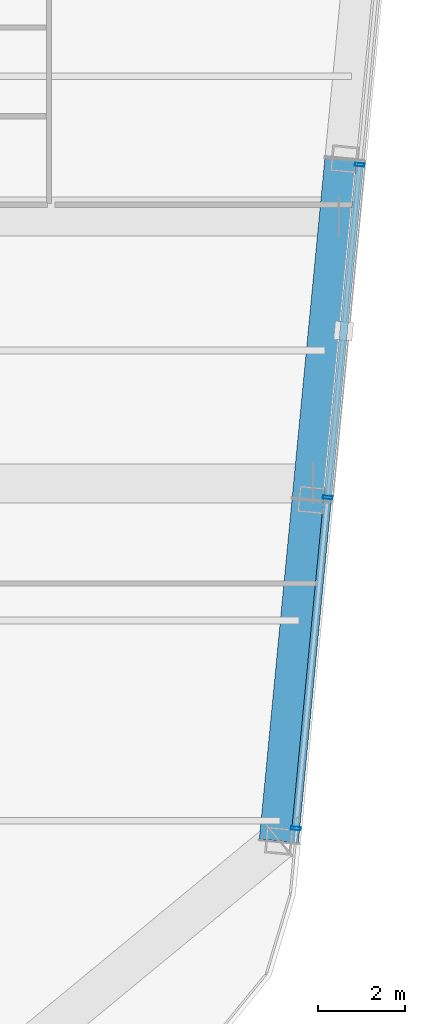
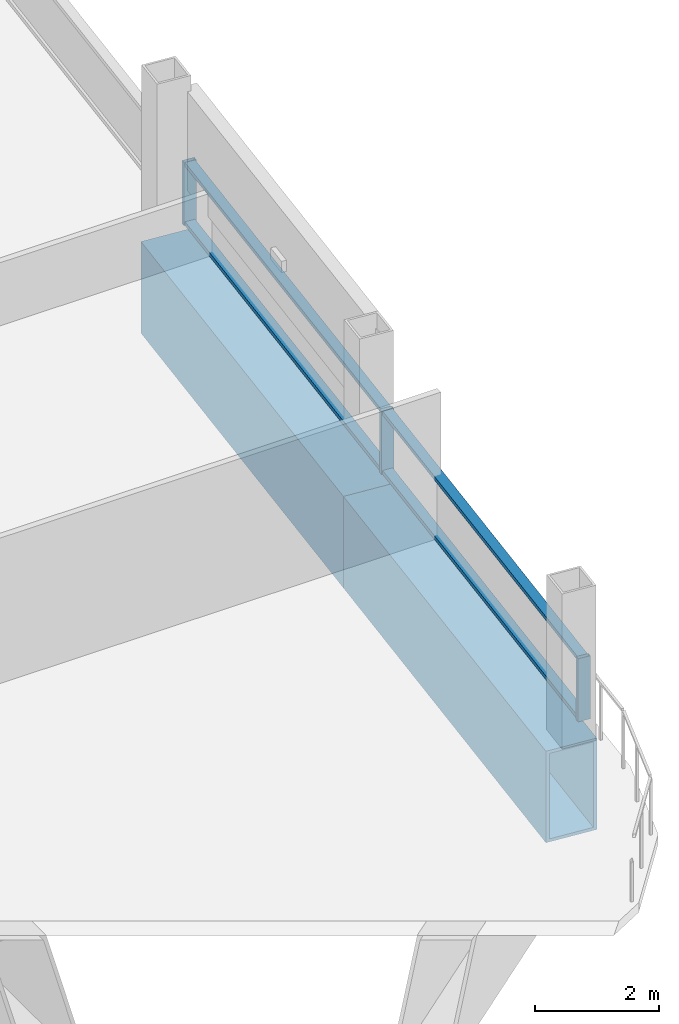
# One storey, part 10 of 21: 7 members, 2 beams, 1 element without a shape of its own.
"""IFC4 building model written with IfcOpenShell, lengths in metres."""

from ifc_helpers import new_model, si_unit, direction, frame, origin, origin_2d, place, context, subcontext, project, spatial, hollow_rectangle, extrude, material, layer, layer_set, material_profile, profile_set, type_object, element, aggregate, save


model = new_model("IFC4")

# Units and contexts
model_context = context("Model", 3, precision=1e-05, world=origin(), true_north=direction((0.0, 1.0)))
body_context = subcontext(model_context, "Body", "Model", "MODEL_VIEW")
ifc_project = project(units=[si_unit("LENGTHUNIT", "METRE"), si_unit("AREAUNIT", "SQUARE_METRE"), si_unit("VOLUMEUNIT", "CUBIC_METRE"), si_unit("PLANEANGLEUNIT", "RADIAN"), si_unit("MASSUNIT", "GRAM", prefix="KILO")], contexts=[model_context])

# Site, building, storey
site_placement = place(None, origin())
site = spatial("IfcSite", under=ifc_project, at=site_placement, CompositionType="ELEMENT")
building_placement = place(site_placement, origin())
building = spatial("IfcBuilding", under=site, at=building_placement, Name="Qhalaya Broadcast Tower", CompositionType="ELEMENT")
storey_placement = place(building_placement, frame((0.0, 0.0, 270.300048828125)))
storey = spatial("IfcBuildingStorey", under=building, at=storey_placement, Name="L80", CompositionType="ELEMENT", Elevation=270.300048828125)

# Beams
ifc_material_1 = material(Name="Structural Steel ASTM A572 Grade 50", Category="steel")
ifc_material_profile_1 = material_profile(ifc_material_1, hollow_rectangle(XDim=0.89990234375, YDim=1.800048828125, WallThickness=0.06005859375, at=origin_2d()), Name="BOX 900x1800x60")
ifc_profile_set_1 = profile_set([ifc_material_profile_1], Name="Structural Steel ASTM A572 Grade 50")
beam_type = type_object("IfcBeamType", Name="Block Cantilever Transfer Box Girder TG1", PredefinedType="USERDEFINED", material=ifc_profile_set_1)
beam_1_placement = place(storey_placement, frame((19.82861328125, -16.962890625, -1.090087890625), z_axis=(0.095837184179, 0.995397023367, 0.0), x_axis=(-0.995397023367, 0.095837184179, 0.0)))
element("IfcBeam", 1, at=beam_1_placement, inside=storey, type_object=beam_type, Name="L80 TG1 L80-SPR-05", ObjectType="GIRDER", PredefinedType="USERDEFINED", context=body_context, shape_type="SweptSolid", body=[
    extrude(hollow_rectangle(XDim=0.89990234375, YDim=1.800048828125, WallThickness=0.06005859375, at=origin_2d()), origin(), (0.0, 0.0, 1.0), 7.866455078125),
])
beam_2_placement = place(storey_placement, frame((20.58251953125, -9.132568359375, -1.090087890625), z_axis=(0.095834223619, 0.995397308407, 0.0), x_axis=(-0.995397308407, 0.095834223619, 0.0)))
element("IfcBeam", 2, at=beam_2_placement, inside=storey, type_object=beam_type, Name="L80 TG1 L80-SPR-06", ObjectType="GIRDER", PredefinedType="USERDEFINED", context=body_context, shape_type="SweptSolid", body=[
    extrude(hollow_rectangle(XDim=0.89990234375, YDim=1.800048828125, WallThickness=0.06005859375, at=origin_2d()), origin(), (0.0, 0.0, 1.0), 7.86669921875),
])

# Curtain wall, members
ifc_material_2 = material(Name="Fired Architectural Terracotta", Category="masonry")
ifc_layer = layer(ifc_material_2, 0.219970703125, Name="Fired Architectural Terracotta")
ifc_layer_set = layer_set([ifc_layer], Name="Fired Architectural Terracotta")
curtain_wall_type = type_object("IfcCurtainWallType", Name="Block-Cap Unitised Terracotta Spandrel Wall CW-07", PredefinedType="NOTDEFINED", material=ifc_layer_set)
curtain_wall_placement = place(storey_placement, origin())
curtain_wall = element("IfcCurtainWall", 3, at=curtain_wall_placement, inside=storey, type_object=curtain_wall_type, Name="L80 Unitised Curtain Wall L80-CW-E", PredefinedType="NOTDEFINED")
ifc_material_3 = material(Name="Anodised Aluminium 6063-T6", Category="aluminium")
ifc_material_profile_2 = material_profile(ifc_material_3, hollow_rectangle(XDim=0.074951171875, YDim=0.219970703125, WallThickness=0.00390625, at=origin_2d()), Name="ALU-MUL 75x220x4")
ifc_profile_set_2 = profile_set([ifc_material_profile_2], Name="Anodised Aluminium 6063-T6")
member_type_1 = type_object("IfcMemberType", Name="Unitised Curtain-Wall Mullion M01", PredefinedType="MULLION", material=ifc_profile_set_2)
member_1_placement = place(storey_placement, frame((21.685546875, -1.43212890625, 0.0), z_axis=(0.0, 0.0, 1.0), x_axis=(-0.095847800651, -0.995396001153, 0.0)))
member_1 = element("IfcMember", 4, at=member_1_placement, type_object=member_type_1, Name="CW-07 mullion 2", PredefinedType="MULLION", context=body_context, shape_type="SweptSolid", body=[
    extrude(hollow_rectangle(XDim=0.074951171875, YDim=0.219970703125, WallThickness=0.00390625, at=origin_2d()), origin(), (0.0, 0.0, 1.0), 1.239990234375),
])
member_2_placement = place(storey_placement, frame((20.949951171875, -9.071533203125, 0.0), z_axis=(0.0, 0.0, 1.0), x_axis=(-0.095847800651, -0.995396001153, 0.0)))
member_2 = element("IfcMember", 5, at=member_2_placement, type_object=member_type_1, Name="CW-07 mullion 3", PredefinedType="MULLION", context=body_context, shape_type="SweptSolid", body=[
    extrude(hollow_rectangle(XDim=0.074951171875, YDim=0.219970703125, WallThickness=0.00390625, at=origin_2d()), origin(), (0.0, 0.0, 1.0), 1.239990234375),
])
member_3_placement = place(storey_placement, frame((20.218017578125, -16.673583984375, 0.0), z_axis=(0.0, 0.0, 1.0), x_axis=(-0.095847800651, -0.995396001153, 0.0)))
member_3 = element("IfcMember", 6, at=member_3_placement, type_object=member_type_1, Name="CW-07 mullion 4", PredefinedType="MULLION", context=body_context, shape_type="SweptSolid", body=[
    extrude(hollow_rectangle(XDim=0.074951171875, YDim=0.219970703125, WallThickness=0.00390625, at=origin_2d()), origin(), (0.0, 0.0, 1.0), 1.239990234375),
])
ifc_material_profile_3 = material_profile(ifc_material_3, hollow_rectangle(XDim=0.074951171875, YDim=0.179931640625, WallThickness=0.00390625, at=origin_2d()), Name="ALU-TRN 75x180x4")
ifc_profile_set_3 = profile_set([ifc_material_profile_3], Name="Anodised Aluminium 6063-T6")
member_type_2 = type_object("IfcMemberType", Name="Unitised Curtain-Wall Transom T01", PredefinedType="USERDEFINED", material=ifc_profile_set_3)
member_4_placement = place(storey_placement, frame((21.681884765625, -1.469482421875, 0.037353515625), z_axis=(-0.095829323167, -0.995397780197, 0.0), x_axis=(0.0, 0.0, 1.0)))
member_4 = element("IfcMember", 7, at=member_4_placement, type_object=member_type_2, Name="CW-07 transom 2.1", ObjectType="TRANSOM", PredefinedType="USERDEFINED", context=body_context, shape_type="SweptSolid", body=[
    extrude(hollow_rectangle(XDim=0.074951171875, YDim=0.179931640625, WallThickness=0.00390625, at=origin_2d()), origin(), (0.0, 0.0, 1.0), 7.599609375),
])
member_5_placement = place(storey_placement, frame((21.681884765625, -1.469482421875, 1.202392578125), z_axis=(-0.095829323167, -0.995397780197, 0.0), x_axis=(0.0, 0.0, 1.0)))
member_5 = element("IfcMember", 8, at=member_5_placement, type_object=member_type_2, Name="CW-07 transom 2.2", ObjectType="TRANSOM", PredefinedType="USERDEFINED", context=body_context, shape_type="SweptSolid", body=[
    extrude(hollow_rectangle(XDim=0.074951171875, YDim=0.179931640625, WallThickness=0.00390625, at=origin_2d()), origin(), (0.0, 0.0, 1.0), 7.599609375),
])
member_6_placement = place(storey_placement, frame((20.9462890625, -9.10888671875, 0.037353515625), z_axis=(-0.095820675997, -0.995398612643, 0.0), x_axis=(0.0, 0.0, 1.0)))
member_6 = element("IfcMember", 9, at=member_6_placement, type_object=member_type_2, Name="CW-07 transom 3.1", ObjectType="TRANSOM", PredefinedType="USERDEFINED", context=body_context, shape_type="SweptSolid", body=[
    extrude(hollow_rectangle(XDim=0.074951171875, YDim=0.179931640625, WallThickness=0.00390625, at=origin_2d()), origin(), (0.0, 0.0, 1.0), 7.562255859375),
])
member_7_placement = place(storey_placement, frame((20.9462890625, -9.10888671875, 1.202392578125), z_axis=(-0.095820675997, -0.995398612643, 0.0), x_axis=(0.0, 0.0, 1.0)))
member_7 = element("IfcMember", 10, at=member_7_placement, type_object=member_type_2, Name="CW-07 transom 3.2", ObjectType="TRANSOM", PredefinedType="USERDEFINED", context=body_context, shape_type="SweptSolid", body=[
    extrude(hollow_rectangle(XDim=0.074951171875, YDim=0.179931640625, WallThickness=0.00390625, at=origin_2d()), origin(), (0.0, 0.0, 1.0), 7.562255859375),
])
aggregate(curtain_wall, [member_1, member_2, member_3, member_4, member_5, member_6, member_7])

save(model, "model.ifc")
